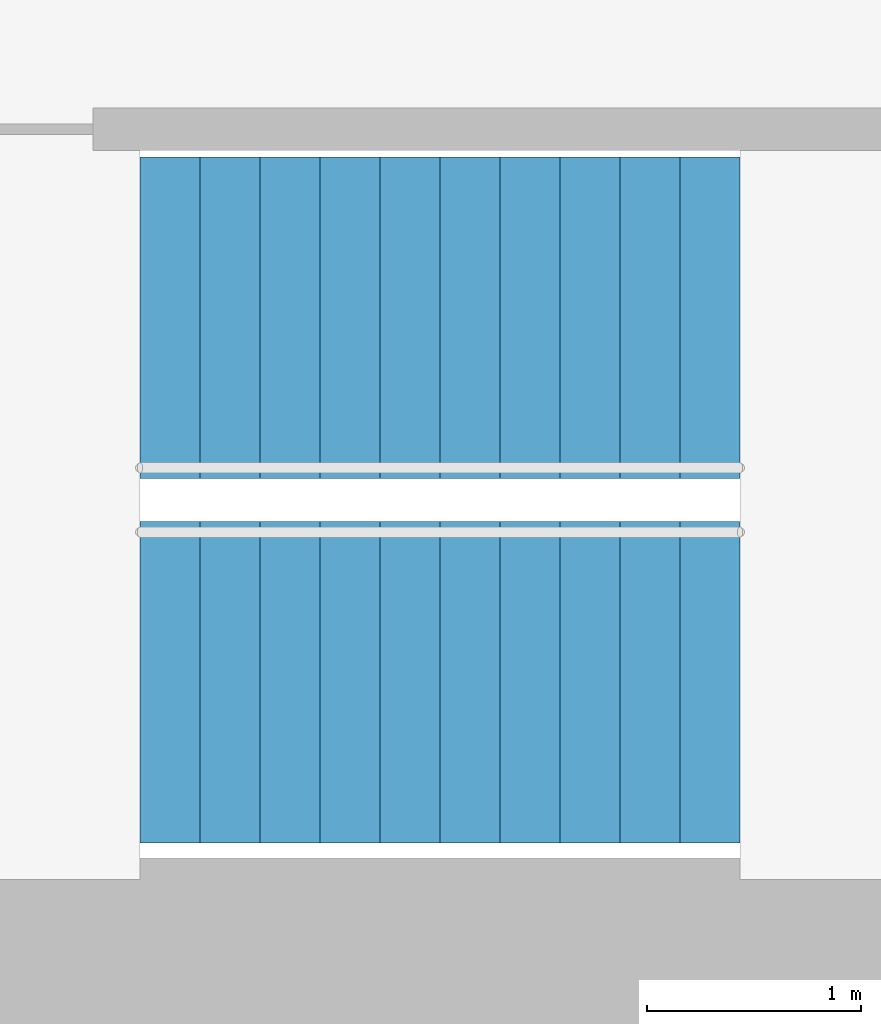
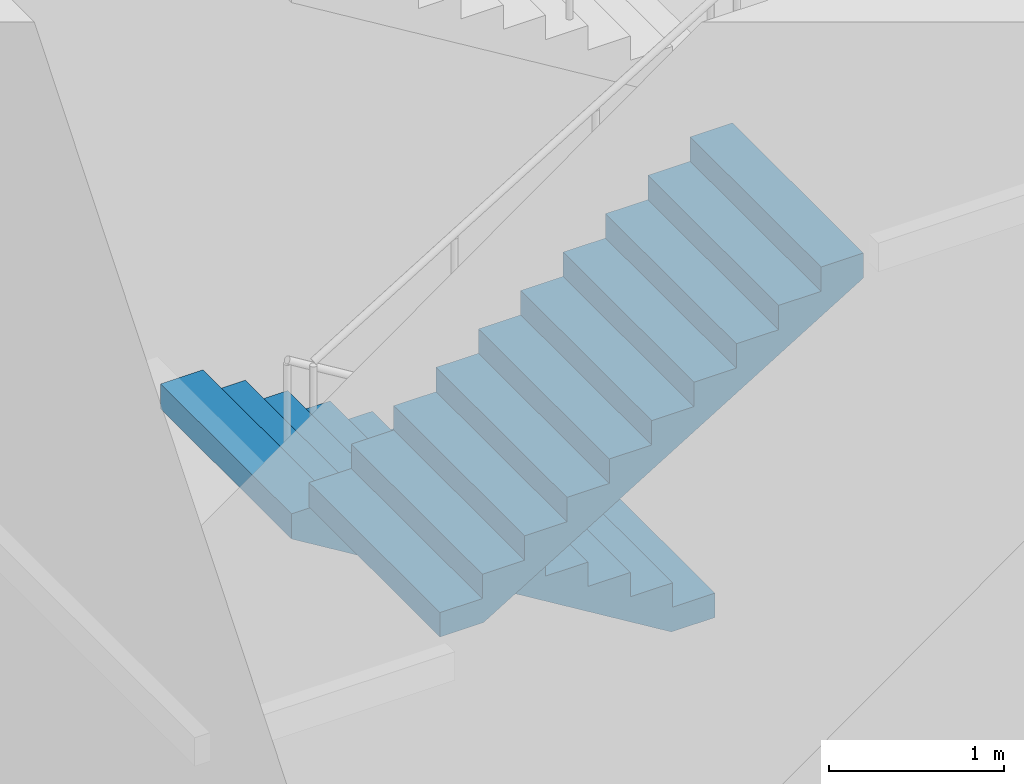
# One storey, part 30 of 73: 2 stair flights, 1 element without a shape of its own.
"""IFC4 building model written with IfcOpenShell, lengths in metres."""

from ifc_helpers import new_model, si_unit, direction, frame, origin, place, context, subcontext, project, spatial, triangles, material, type_object, element, aggregate, save


model = new_model("IFC4")

# Units and contexts
model_context = context("Model", 3, precision=1e-05, world=origin(), true_north=direction((0.0, 1.0)))
body_context = subcontext(model_context, "Body", "Model", "MODEL_VIEW")
ifc_project = project(units=[si_unit("LENGTHUNIT", "METRE"), si_unit("AREAUNIT", "SQUARE_METRE"), si_unit("VOLUMEUNIT", "CUBIC_METRE"), si_unit("PLANEANGLEUNIT", "RADIAN"), si_unit("MASSUNIT", "GRAM", prefix="KILO")], contexts=[model_context])

# Site, building, storey
site_placement = place(None, origin())
site = spatial("IfcSite", under=ifc_project, at=site_placement, CompositionType="ELEMENT")
building_placement = place(site_placement, origin())
building = spatial("IfcBuilding", under=site, at=building_placement, Name="Lantaw Convention Tower", CompositionType="ELEMENT")
storey_placement = place(building_placement, frame((0.0, 0.0, 14.5)))
storey = spatial("IfcBuildingStorey", under=building, at=storey_placement, Name="L02", CompositionType="ELEMENT", Elevation=14.5)

# Stair, stair flights
ifc_material = material(Name="Concrete C35/45", Category="concrete")
stair_type = type_object("IfcStairType", Name="Exit stair 1500 riser 170.45 in 4 flights", PredefinedType="HALF_TURN_STAIR", material=ifc_material)
stair_placement = place(storey_placement, origin())
stair = element("IfcStair", 1, at=stair_placement, inside=storey, type_object=stair_type, Name="Exit stair S1 L02", PredefinedType="HALF_TURN_STAIR")
stair_flight_type = type_object("IfcStairFlightType", Name="Stair flight 1500 riser 170.45", PredefinedType="STRAIGHT", material=ifc_material)
stair_flight_1_placement = place(storey_placement, frame((-7.780029296875, -4.280029296875, 1.875), z_axis=(0.0, 0.0, 1.0), x_axis=(-1.0, 0.0, 0.0)))
stair_flight_1 = element("IfcStairFlight", 2, at=stair_flight_1_placement, type_object=stair_flight_type, Name="S1 flight 2", NumberOfRisers=11, NumberOfTreads=10, PredefinedType="STRAIGHT", RiserHeight=0.170454545, TreadLength=0.28, context=body_context, shape_type="Tessellation", body=[
    triangles([(0.0, 0.75, 0.0), (0.0, 0.75, 0.170454545), (0.28, 0.75, 0.0), (0.28, 0.75, 0.170454545), (0.28, 0.75, 0.34090909), (0.28827876332691904, 0.75, 0.0), (0.28827876332691904, 0.75, 0.34090909), (0.56, 0.75, 0.16541471344266906), (0.56, 0.75, 0.34090909), (0.56, 0.75, 0.511363635), (0.8400000000000001, 0.75, 0.335869258442669), (0.8400000000000001, 0.75, 0.511363635), (0.8400000000000001, 0.75, 0.68181818), (1.12, 0.75, 0.506323803442669), (1.12, 0.75, 0.68181818), (1.12, 0.75, 0.8522727250000001), (1.4000000000000001, 0.75, 0.676778348442669), (1.4000000000000001, 0.75, 0.8522727250000001), (1.4000000000000001, 0.75, 1.02272727), (1.6800000000000002, 0.75, 0.847232893442669), (1.6800000000000002, 0.75, 1.02272727), (1.6800000000000002, 0.75, 1.193181815), (1.9600000000000002, 0.75, 1.017687438442669), (1.9600000000000002, 0.75, 1.193181815), (1.9600000000000002, 0.75, 1.36363636), (2.24, 0.75, 1.188141983442669), (2.24, 0.75, 1.36363636), (2.24, 0.75, 1.5340909050000002), (2.5200000000000005, 0.75, 1.358596528442669), (2.5200000000000005, 0.75, 1.5340909050000002), (2.5200000000000005, 0.75, 1.7045454500000001), (2.8000000000000003, 0.75, 1.529051073442669), (2.8000000000000003, 0.75, 1.7045454500000001), (0.0, -0.75, 0.0), (0.0, -0.75, 0.170454545), (0.28, -0.75, 0.0), (0.28, -0.75, 0.170454545), (0.28, -0.75, 0.34090909), (0.28827876332691904, -0.75, 0.0), (0.28827876332691904, -0.75, 0.34090909), (0.56, -0.75, 0.16541471344266906), (0.56, -0.75, 0.34090909), (0.56, -0.75, 0.511363635), (0.8400000000000001, -0.75, 0.335869258442669), (0.8400000000000001, -0.75, 0.511363635), (0.8400000000000001, -0.75, 0.68181818), (1.12, -0.75, 0.506323803442669), (1.12, -0.75, 0.68181818), (1.12, -0.75, 0.8522727250000001), (1.4000000000000001, -0.75, 0.676778348442669), (1.4000000000000001, -0.75, 0.8522727250000001), (1.4000000000000001, -0.75, 1.02272727), (1.6800000000000002, -0.75, 0.847232893442669), (1.6800000000000002, -0.75, 1.02272727), (1.6800000000000002, -0.75, 1.193181815), (1.9600000000000002, -0.75, 1.017687438442669), (1.9600000000000002, -0.75, 1.193181815), (1.9600000000000002, -0.75, 1.36363636), (2.24, -0.75, 1.188141983442669), (2.24, -0.75, 1.36363636), (2.24, -0.75, 1.5340909050000002), (2.5200000000000005, -0.75, 1.358596528442669), (2.5200000000000005, -0.75, 1.5340909050000002), (2.5200000000000005, -0.75, 1.7045454500000001), (2.8000000000000003, -0.75, 1.529051073442669), (2.8000000000000003, -0.75, 1.7045454500000001), (0.0, 0.15000000000000002, 0.170454545), (0.0, 0.15000000000000002, 0.0), (0.0, 0.0, 0.170454545), (0.0, 0.0, 0.0), (0.0, -0.15000000000000002, 0.170454545), (0.0, -0.15000000000000002, 0.0), (0.28, 0.15000000000000002, 0.34090909), (0.28, 0.15000000000000002, 0.170454545), (0.28, 0.0, 0.34090909), (0.28, 0.0, 0.170454545), (0.28, -0.15000000000000002, 0.34090909), (0.28, -0.15000000000000002, 0.170454545), (0.56, 0.15000000000000002, 0.511363635), (0.56, 0.15000000000000002, 0.34090909), (0.56, 0.0, 0.511363635), (0.56, 0.0, 0.34090909), (0.56, -0.15000000000000002, 0.511363635), (0.56, -0.15000000000000002, 0.34090909), (0.8400000000000001, 0.15000000000000002, 0.68181818), (0.8400000000000001, 0.15000000000000002, 0.511363635), (0.8400000000000001, 0.0, 0.68181818), (0.8400000000000001, 0.0, 0.511363635), (0.8400000000000001, -0.15000000000000002, 0.68181818), (0.8400000000000001, -0.15000000000000002, 0.511363635), (1.12, 0.15000000000000002, 0.8522727250000001), (1.12, 0.15000000000000002, 0.68181818), (1.12, 0.0, 0.8522727250000001), (1.12, 0.0, 0.68181818), (1.12, -0.15000000000000002, 0.8522727250000001), (1.12, -0.15000000000000002, 0.68181818), (1.4000000000000001, 0.15000000000000002, 1.02272727), (1.4000000000000001, 0.15000000000000002, 0.8522727250000001), (1.4000000000000001, 0.0, 1.02272727), (1.4000000000000001, 0.0, 0.8522727250000001), (1.4000000000000001, -0.15000000000000002, 1.02272727), (1.4000000000000001, -0.15000000000000002, 0.8522727250000001), (1.6800000000000002, 0.15000000000000002, 1.193181815), (1.6800000000000002, 0.15000000000000002, 1.02272727), (1.6800000000000002, 0.0, 1.193181815), (1.6800000000000002, 0.0, 1.02272727), (1.6800000000000002, -0.15000000000000002, 1.193181815), (1.6800000000000002, -0.15000000000000002, 1.02272727), (1.9600000000000002, 0.15000000000000002, 1.36363636), (1.9600000000000002, 0.15000000000000002, 1.193181815), (1.9600000000000002, 0.0, 1.36363636), (1.9600000000000002, 0.0, 1.193181815), (1.9600000000000002, -0.15000000000000002, 1.36363636), (1.9600000000000002, -0.15000000000000002, 1.193181815), (2.24, 0.15000000000000002, 1.5340909050000002), (2.24, 0.15000000000000002, 1.36363636), (2.24, 0.0, 1.5340909050000002), (2.24, 0.0, 1.36363636), (2.24, -0.15000000000000002, 1.5340909050000002), (2.24, -0.15000000000000002, 1.36363636), (2.5200000000000005, 0.15000000000000002, 1.7045454500000001), (2.5200000000000005, 0.15000000000000002, 1.5340909050000002), (2.5200000000000005, 0.0, 1.7045454500000001), (2.5200000000000005, 0.0, 1.5340909050000002), (2.5200000000000005, -0.15000000000000002, 1.7045454500000001), (2.5200000000000005, -0.15000000000000002, 1.5340909050000002), (0.28827876332691904, 0.15000000000000002, 0.34090909), (0.28827876332691904, 0.0, 0.34090909), (0.28827876332691904, -0.15000000000000002, 0.34090909), (2.8000000000000003, 0.15000000000000002, 1.7045454500000001), (2.8000000000000003, 0.0, 1.7045454500000001), (2.8000000000000003, -0.15000000000000002, 1.7045454500000001), (2.8000000000000003, 0.15000000000000002, 1.5290510734426692), (2.8000000000000003, 0.0, 1.5290510734426692), (2.8000000000000003, -0.15000000000000002, 1.5290510734426692), (2.5200000000000005, 0.15000000000000002, 1.358596528442669), (2.5200000000000005, 0.0, 1.358596528442669), (2.5200000000000005, -0.15000000000000002, 1.358596528442669), (2.24, 0.15000000000000002, 1.188141983442669), (2.24, 0.0, 1.188141983442669), (2.24, -0.15000000000000002, 1.188141983442669), (1.9600000000000002, 0.15000000000000002, 1.017687438442669), (1.9600000000000002, 0.0, 1.017687438442669), (1.9600000000000002, -0.15000000000000002, 1.017687438442669), (1.6800000000000002, 0.15000000000000002, 0.847232893442669), (1.6800000000000002, 0.0, 0.847232893442669), (1.6800000000000002, -0.15000000000000002, 0.847232893442669), (1.4000000000000001, 0.15000000000000002, 0.676778348442669), (1.4000000000000001, 0.0, 0.676778348442669), (1.4000000000000001, -0.15000000000000002, 0.676778348442669), (1.12, 0.15000000000000002, 0.506323803442669), (1.12, 0.0, 0.506323803442669), (1.12, -0.15000000000000002, 0.506323803442669), (0.8400000000000001, 0.15000000000000002, 0.335869258442669), (0.8400000000000001, 0.0, 0.335869258442669), (0.8400000000000001, -0.15000000000000002, 0.335869258442669), (0.56, 0.15000000000000002, 0.16541471344266906), (0.56, 0.0, 0.16541471344266906), (0.56, -0.15000000000000002, 0.16541471344266906), (0.28827876332691904, 0.15000000000000002, 0.0), (0.28827876332691904, 0.0, 0.0), (0.28827876332691904, -0.15000000000000002, 0.0), (0.28, 0.15000000000000002, 0.0), (0.28, 0.0, 0.0), (0.28, -0.15000000000000002, 0.0)], [[1, 4, 3], [1, 2, 4], [3, 4, 6], [4, 7, 6], [4, 5, 7], [6, 9, 8], [6, 7, 9], [8, 9, 11], [9, 12, 11], [9, 10, 12], [11, 12, 14], [12, 15, 14], [12, 13, 15], [14, 15, 17], [15, 18, 17], [15, 16, 18], [17, 18, 20], [18, 21, 20], [18, 19, 21], [20, 21, 23], [21, 24, 23], [21, 22, 24], [23, 24, 26], [24, 27, 26], [24, 25, 27], [26, 27, 29], [27, 30, 29], [27, 28, 30], [29, 30, 32], [30, 33, 32], [30, 31, 33], [34, 36, 37], [34, 37, 35], [36, 39, 37], [37, 39, 40], [37, 40, 38], [39, 41, 42], [39, 42, 40], [41, 44, 42], [42, 44, 45], [42, 45, 43], [44, 47, 45], [45, 47, 48], [45, 48, 46], [47, 50, 48], [48, 50, 51], [48, 51, 49], [50, 53, 51], [51, 53, 54], [51, 54, 52], [53, 56, 54], [54, 56, 57], [54, 57, 55], [56, 59, 57], [57, 59, 60], [57, 60, 58], [59, 62, 60], [60, 62, 63], [60, 63, 61], [62, 65, 63], [63, 65, 66], [63, 66, 64], [1, 67, 2], [1, 68, 67], [68, 69, 67], [68, 70, 69], [70, 71, 69], [70, 72, 71], [72, 35, 71], [72, 34, 35], [4, 73, 5], [4, 74, 73], [74, 75, 73], [74, 76, 75], [76, 77, 75], [76, 78, 77], [78, 38, 77], [78, 37, 38], [9, 79, 10], [9, 80, 79], [80, 81, 79], [80, 82, 81], [82, 83, 81], [82, 84, 83], [84, 43, 83], [84, 42, 43], [12, 85, 13], [12, 86, 85], [86, 87, 85], [86, 88, 87], [88, 89, 87], [88, 90, 89], [90, 46, 89], [90, 45, 46], [15, 91, 16], [15, 92, 91], [92, 93, 91], [92, 94, 93], [94, 95, 93], [94, 96, 95], [96, 49, 95], [96, 48, 49], [18, 97, 19], [18, 98, 97], [98, 99, 97], [98, 100, 99], [100, 101, 99], [100, 102, 101], [102, 52, 101], [102, 51, 52], [21, 103, 22], [21, 104, 103], [104, 105, 103], [104, 106, 105], [106, 107, 105], [106, 108, 107], [108, 55, 107], [108, 54, 55], [24, 109, 25], [24, 110, 109], [110, 111, 109], [110, 112, 111], [112, 113, 111], [112, 114, 113], [114, 58, 113], [114, 57, 58], [27, 115, 28], [27, 116, 115], [116, 117, 115], [116, 118, 117], [118, 119, 117], [118, 120, 119], [120, 61, 119], [120, 60, 61], [30, 121, 31], [30, 122, 121], [122, 123, 121], [122, 124, 123], [124, 125, 123], [124, 126, 125], [126, 64, 125], [126, 63, 64], [2, 74, 4], [2, 67, 74], [67, 76, 74], [67, 69, 76], [69, 78, 76], [69, 71, 78], [71, 37, 78], [71, 35, 37], [5, 127, 7], [5, 73, 127], [73, 128, 127], [73, 75, 128], [75, 129, 128], [75, 77, 129], [77, 40, 129], [77, 38, 40], [7, 80, 9], [7, 127, 80], [127, 82, 80], [127, 128, 82], [128, 84, 82], [128, 129, 84], [129, 42, 84], [129, 40, 42], [10, 86, 12], [10, 79, 86], [79, 88, 86], [79, 81, 88], [81, 90, 88], [81, 83, 90], [83, 45, 90], [83, 43, 45], [13, 92, 15], [13, 85, 92], [85, 94, 92], [85, 87, 94], [87, 96, 94], [87, 89, 96], [89, 48, 96], [89, 46, 48], [16, 98, 18], [16, 91, 98], [91, 100, 98], [91, 93, 100], [93, 102, 100], [93, 95, 102], [95, 51, 102], [95, 49, 51], [19, 104, 21], [19, 97, 104], [97, 106, 104], [97, 99, 106], [99, 108, 106], [99, 101, 108], [101, 54, 108], [101, 52, 54], [22, 110, 24], [22, 103, 110], [103, 112, 110], [103, 105, 112], [105, 114, 112], [105, 107, 114], [107, 57, 114], [107, 55, 57], [25, 116, 27], [25, 109, 116], [109, 118, 116], [109, 111, 118], [111, 120, 118], [111, 113, 120], [113, 60, 120], [113, 58, 60], [28, 122, 30], [28, 115, 122], [115, 124, 122], [115, 117, 124], [117, 126, 124], [117, 119, 126], [119, 63, 126], [119, 61, 63], [31, 130, 33], [31, 121, 130], [121, 131, 130], [121, 123, 131], [123, 132, 131], [123, 125, 132], [125, 66, 132], [125, 64, 66], [33, 133, 32], [33, 130, 133], [130, 134, 133], [130, 131, 134], [131, 135, 134], [131, 132, 135], [132, 65, 135], [132, 66, 65], [32, 136, 29], [32, 133, 136], [133, 137, 136], [133, 134, 137], [134, 138, 137], [134, 135, 138], [135, 62, 138], [135, 65, 62], [29, 139, 26], [29, 136, 139], [136, 140, 139], [136, 137, 140], [137, 141, 140], [137, 138, 141], [138, 59, 141], [138, 62, 59], [26, 142, 23], [26, 139, 142], [139, 143, 142], [139, 140, 143], [140, 144, 143], [140, 141, 144], [141, 56, 144], [141, 59, 56], [23, 145, 20], [23, 142, 145], [142, 146, 145], [142, 143, 146], [143, 147, 146], [143, 144, 147], [144, 53, 147], [144, 56, 53], [20, 148, 17], [20, 145, 148], [145, 149, 148], [145, 146, 149], [146, 150, 149], [146, 147, 150], [147, 50, 150], [147, 53, 50], [17, 151, 14], [17, 148, 151], [148, 152, 151], [148, 149, 152], [149, 153, 152], [149, 150, 153], [150, 47, 153], [150, 50, 47], [14, 154, 11], [14, 151, 154], [151, 155, 154], [151, 152, 155], [152, 156, 155], [152, 153, 156], [153, 44, 156], [153, 47, 44], [11, 157, 8], [11, 154, 157], [154, 158, 157], [154, 155, 158], [155, 159, 158], [155, 156, 159], [156, 41, 159], [156, 44, 41], [8, 160, 6], [8, 157, 160], [157, 161, 160], [157, 158, 161], [158, 162, 161], [158, 159, 162], [159, 39, 162], [159, 41, 39], [6, 163, 3], [6, 160, 163], [160, 164, 163], [160, 161, 164], [161, 165, 164], [161, 162, 165], [162, 36, 165], [162, 39, 36], [3, 68, 1], [3, 163, 68], [163, 70, 68], [163, 164, 70], [164, 72, 70], [164, 165, 72], [165, 34, 72], [165, 36, 34]], closed=True),
])
stair_flight_2_placement = place(storey_placement, frame((-10.580078125, -5.97998046875, 3.75), z_axis=(0.0, 0.0, 1.0), x_axis=(1.0, 0.0, 0.0)))
stair_flight_2 = element("IfcStairFlight", 3, at=stair_flight_2_placement, type_object=stair_flight_type, Name="S1 flight 3", NumberOfRisers=11, NumberOfTreads=10, PredefinedType="STRAIGHT", RiserHeight=0.170454545, TreadLength=0.28, context=body_context, shape_type="Tessellation", body=[
    triangles([(0.0, 0.75, 0.0), (0.0, 0.75, 0.170454545), (0.28, 0.75, 0.0), (0.28, 0.75, 0.170454545), (0.28, 0.75, 0.34090909), (0.28827876332691904, 0.75, 0.0), (0.28827876332691904, 0.75, 0.34090909), (0.56, 0.75, 0.16541471344266906), (0.56, 0.75, 0.34090909), (0.56, 0.75, 0.511363635), (0.8400000000000001, 0.75, 0.335869258442669), (0.8400000000000001, 0.75, 0.511363635), (0.8400000000000001, 0.75, 0.68181818), (1.12, 0.75, 0.506323803442669), (1.12, 0.75, 0.68181818), (1.12, 0.75, 0.8522727250000001), (1.4000000000000001, 0.75, 0.676778348442669), (1.4000000000000001, 0.75, 0.8522727250000001), (1.4000000000000001, 0.75, 1.02272727), (1.6800000000000002, 0.75, 0.847232893442669), (1.6800000000000002, 0.75, 1.02272727), (1.6800000000000002, 0.75, 1.193181815), (1.9600000000000002, 0.75, 1.017687438442669), (1.9600000000000002, 0.75, 1.193181815), (1.9600000000000002, 0.75, 1.36363636), (2.24, 0.75, 1.188141983442669), (2.24, 0.75, 1.36363636), (2.24, 0.75, 1.5340909050000002), (2.5200000000000005, 0.75, 1.358596528442669), (2.5200000000000005, 0.75, 1.5340909050000002), (2.5200000000000005, 0.75, 1.7045454500000001), (2.8000000000000003, 0.75, 1.529051073442669), (2.8000000000000003, 0.75, 1.7045454500000001), (0.0, -0.75, 0.0), (0.0, -0.75, 0.170454545), (0.28, -0.75, 0.0), (0.28, -0.75, 0.170454545), (0.28, -0.75, 0.34090909), (0.28827876332691904, -0.75, 0.0), (0.28827876332691904, -0.75, 0.34090909), (0.56, -0.75, 0.16541471344266906), (0.56, -0.75, 0.34090909), (0.56, -0.75, 0.511363635), (0.8400000000000001, -0.75, 0.335869258442669), (0.8400000000000001, -0.75, 0.511363635), (0.8400000000000001, -0.75, 0.68181818), (1.12, -0.75, 0.506323803442669), (1.12, -0.75, 0.68181818), (1.12, -0.75, 0.8522727250000001), (1.4000000000000001, -0.75, 0.676778348442669), (1.4000000000000001, -0.75, 0.8522727250000001), (1.4000000000000001, -0.75, 1.02272727), (1.6800000000000002, -0.75, 0.847232893442669), (1.6800000000000002, -0.75, 1.02272727), (1.6800000000000002, -0.75, 1.193181815), (1.9600000000000002, -0.75, 1.017687438442669), (1.9600000000000002, -0.75, 1.193181815), (1.9600000000000002, -0.75, 1.36363636), (2.24, -0.75, 1.188141983442669), (2.24, -0.75, 1.36363636), (2.24, -0.75, 1.5340909050000002), (2.5200000000000005, -0.75, 1.358596528442669), (2.5200000000000005, -0.75, 1.5340909050000002), (2.5200000000000005, -0.75, 1.7045454500000001), (2.8000000000000003, -0.75, 1.529051073442669), (2.8000000000000003, -0.75, 1.7045454500000001), (0.0, 0.15000000000000002, 0.170454545), (0.0, 0.15000000000000002, 0.0), (0.0, 0.0, 0.170454545), (0.0, 0.0, 0.0), (0.0, -0.15000000000000002, 0.170454545), (0.0, -0.15000000000000002, 0.0), (0.28, 0.15000000000000002, 0.34090909), (0.28, 0.15000000000000002, 0.170454545), (0.28, 0.0, 0.34090909), (0.28, 0.0, 0.170454545), (0.28, -0.15000000000000002, 0.34090909), (0.28, -0.15000000000000002, 0.170454545), (0.56, 0.15000000000000002, 0.511363635), (0.56, 0.15000000000000002, 0.34090909), (0.56, 0.0, 0.511363635), (0.56, 0.0, 0.34090909), (0.56, -0.15000000000000002, 0.511363635), (0.56, -0.15000000000000002, 0.34090909), (0.8400000000000001, 0.15000000000000002, 0.68181818), (0.8400000000000001, 0.15000000000000002, 0.511363635), (0.8400000000000001, 0.0, 0.68181818), (0.8400000000000001, 0.0, 0.511363635), (0.8400000000000001, -0.15000000000000002, 0.68181818), (0.8400000000000001, -0.15000000000000002, 0.511363635), (1.12, 0.15000000000000002, 0.8522727250000001), (1.12, 0.15000000000000002, 0.68181818), (1.12, 0.0, 0.8522727250000001), (1.12, 0.0, 0.68181818), (1.12, -0.15000000000000002, 0.8522727250000001), (1.12, -0.15000000000000002, 0.68181818), (1.4000000000000001, 0.15000000000000002, 1.02272727), (1.4000000000000001, 0.15000000000000002, 0.8522727250000001), (1.4000000000000001, 0.0, 1.02272727), (1.4000000000000001, 0.0, 0.8522727250000001), (1.4000000000000001, -0.15000000000000002, 1.02272727), (1.4000000000000001, -0.15000000000000002, 0.8522727250000001), (1.6800000000000002, 0.15000000000000002, 1.193181815), (1.6800000000000002, 0.15000000000000002, 1.02272727), (1.6800000000000002, 0.0, 1.193181815), (1.6800000000000002, 0.0, 1.02272727), (1.6800000000000002, -0.15000000000000002, 1.193181815), (1.6800000000000002, -0.15000000000000002, 1.02272727), (1.9600000000000002, 0.15000000000000002, 1.36363636), (1.9600000000000002, 0.15000000000000002, 1.193181815), (1.9600000000000002, 0.0, 1.36363636), (1.9600000000000002, 0.0, 1.193181815), (1.9600000000000002, -0.15000000000000002, 1.36363636), (1.9600000000000002, -0.15000000000000002, 1.193181815), (2.24, 0.15000000000000002, 1.5340909050000002), (2.24, 0.15000000000000002, 1.36363636), (2.24, 0.0, 1.5340909050000002), (2.24, 0.0, 1.36363636), (2.24, -0.15000000000000002, 1.5340909050000002), (2.24, -0.15000000000000002, 1.36363636), (2.5200000000000005, 0.15000000000000002, 1.7045454500000001), (2.5200000000000005, 0.15000000000000002, 1.5340909050000002), (2.5200000000000005, 0.0, 1.7045454500000001), (2.5200000000000005, 0.0, 1.5340909050000002), (2.5200000000000005, -0.15000000000000002, 1.7045454500000001), (2.5200000000000005, -0.15000000000000002, 1.5340909050000002), (0.28827876332691904, 0.15000000000000002, 0.34090909), (0.28827876332691904, 0.0, 0.34090909), (0.28827876332691904, -0.15000000000000002, 0.34090909), (2.8000000000000003, 0.15000000000000002, 1.7045454500000001), (2.8000000000000003, 0.0, 1.7045454500000001), (2.8000000000000003, -0.15000000000000002, 1.7045454500000001), (2.8000000000000003, 0.15000000000000002, 1.5290510734426692), (2.8000000000000003, 0.0, 1.5290510734426692), (2.8000000000000003, -0.15000000000000002, 1.5290510734426692), (2.5200000000000005, 0.15000000000000002, 1.358596528442669), (2.5200000000000005, 0.0, 1.358596528442669), (2.5200000000000005, -0.15000000000000002, 1.358596528442669), (2.24, 0.15000000000000002, 1.188141983442669), (2.24, 0.0, 1.188141983442669), (2.24, -0.15000000000000002, 1.188141983442669), (1.9600000000000002, 0.15000000000000002, 1.017687438442669), (1.9600000000000002, 0.0, 1.017687438442669), (1.9600000000000002, -0.15000000000000002, 1.017687438442669), (1.6800000000000002, 0.15000000000000002, 0.847232893442669), (1.6800000000000002, 0.0, 0.847232893442669), (1.6800000000000002, -0.15000000000000002, 0.847232893442669), (1.4000000000000001, 0.15000000000000002, 0.676778348442669), (1.4000000000000001, 0.0, 0.676778348442669), (1.4000000000000001, -0.15000000000000002, 0.676778348442669), (1.12, 0.15000000000000002, 0.506323803442669), (1.12, 0.0, 0.506323803442669), (1.12, -0.15000000000000002, 0.506323803442669), (0.8400000000000001, 0.15000000000000002, 0.335869258442669), (0.8400000000000001, 0.0, 0.335869258442669), (0.8400000000000001, -0.15000000000000002, 0.335869258442669), (0.56, 0.15000000000000002, 0.16541471344266906), (0.56, 0.0, 0.16541471344266906), (0.56, -0.15000000000000002, 0.16541471344266906), (0.28827876332691904, 0.15000000000000002, 0.0), (0.28827876332691904, 0.0, 0.0), (0.28827876332691904, -0.15000000000000002, 0.0), (0.28, 0.15000000000000002, 0.0), (0.28, 0.0, 0.0), (0.28, -0.15000000000000002, 0.0)], [[1, 4, 3], [1, 2, 4], [3, 4, 6], [4, 7, 6], [4, 5, 7], [6, 9, 8], [6, 7, 9], [8, 9, 11], [9, 12, 11], [9, 10, 12], [11, 12, 14], [12, 15, 14], [12, 13, 15], [14, 15, 17], [15, 18, 17], [15, 16, 18], [17, 18, 20], [18, 21, 20], [18, 19, 21], [20, 21, 23], [21, 24, 23], [21, 22, 24], [23, 24, 26], [24, 27, 26], [24, 25, 27], [26, 27, 29], [27, 30, 29], [27, 28, 30], [29, 30, 32], [30, 33, 32], [30, 31, 33], [34, 36, 37], [34, 37, 35], [36, 39, 37], [37, 39, 40], [37, 40, 38], [39, 41, 42], [39, 42, 40], [41, 44, 42], [42, 44, 45], [42, 45, 43], [44, 47, 45], [45, 47, 48], [45, 48, 46], [47, 50, 48], [48, 50, 51], [48, 51, 49], [50, 53, 51], [51, 53, 54], [51, 54, 52], [53, 56, 54], [54, 56, 57], [54, 57, 55], [56, 59, 57], [57, 59, 60], [57, 60, 58], [59, 62, 60], [60, 62, 63], [60, 63, 61], [62, 65, 63], [63, 65, 66], [63, 66, 64], [1, 67, 2], [1, 68, 67], [68, 69, 67], [68, 70, 69], [70, 71, 69], [70, 72, 71], [72, 35, 71], [72, 34, 35], [4, 73, 5], [4, 74, 73], [74, 75, 73], [74, 76, 75], [76, 77, 75], [76, 78, 77], [78, 38, 77], [78, 37, 38], [9, 79, 10], [9, 80, 79], [80, 81, 79], [80, 82, 81], [82, 83, 81], [82, 84, 83], [84, 43, 83], [84, 42, 43], [12, 85, 13], [12, 86, 85], [86, 87, 85], [86, 88, 87], [88, 89, 87], [88, 90, 89], [90, 46, 89], [90, 45, 46], [15, 91, 16], [15, 92, 91], [92, 93, 91], [92, 94, 93], [94, 95, 93], [94, 96, 95], [96, 49, 95], [96, 48, 49], [18, 97, 19], [18, 98, 97], [98, 99, 97], [98, 100, 99], [100, 101, 99], [100, 102, 101], [102, 52, 101], [102, 51, 52], [21, 103, 22], [21, 104, 103], [104, 105, 103], [104, 106, 105], [106, 107, 105], [106, 108, 107], [108, 55, 107], [108, 54, 55], [24, 109, 25], [24, 110, 109], [110, 111, 109], [110, 112, 111], [112, 113, 111], [112, 114, 113], [114, 58, 113], [114, 57, 58], [27, 115, 28], [27, 116, 115], [116, 117, 115], [116, 118, 117], [118, 119, 117], [118, 120, 119], [120, 61, 119], [120, 60, 61], [30, 121, 31], [30, 122, 121], [122, 123, 121], [122, 124, 123], [124, 125, 123], [124, 126, 125], [126, 64, 125], [126, 63, 64], [2, 74, 4], [2, 67, 74], [67, 76, 74], [67, 69, 76], [69, 78, 76], [69, 71, 78], [71, 37, 78], [71, 35, 37], [5, 127, 7], [5, 73, 127], [73, 128, 127], [73, 75, 128], [75, 129, 128], [75, 77, 129], [77, 40, 129], [77, 38, 40], [7, 80, 9], [7, 127, 80], [127, 82, 80], [127, 128, 82], [128, 84, 82], [128, 129, 84], [129, 42, 84], [129, 40, 42], [10, 86, 12], [10, 79, 86], [79, 88, 86], [79, 81, 88], [81, 90, 88], [81, 83, 90], [83, 45, 90], [83, 43, 45], [13, 92, 15], [13, 85, 92], [85, 94, 92], [85, 87, 94], [87, 96, 94], [87, 89, 96], [89, 48, 96], [89, 46, 48], [16, 98, 18], [16, 91, 98], [91, 100, 98], [91, 93, 100], [93, 102, 100], [93, 95, 102], [95, 51, 102], [95, 49, 51], [19, 104, 21], [19, 97, 104], [97, 106, 104], [97, 99, 106], [99, 108, 106], [99, 101, 108], [101, 54, 108], [101, 52, 54], [22, 110, 24], [22, 103, 110], [103, 112, 110], [103, 105, 112], [105, 114, 112], [105, 107, 114], [107, 57, 114], [107, 55, 57], [25, 116, 27], [25, 109, 116], [109, 118, 116], [109, 111, 118], [111, 120, 118], [111, 113, 120], [113, 60, 120], [113, 58, 60], [28, 122, 30], [28, 115, 122], [115, 124, 122], [115, 117, 124], [117, 126, 124], [117, 119, 126], [119, 63, 126], [119, 61, 63], [31, 130, 33], [31, 121, 130], [121, 131, 130], [121, 123, 131], [123, 132, 131], [123, 125, 132], [125, 66, 132], [125, 64, 66], [33, 133, 32], [33, 130, 133], [130, 134, 133], [130, 131, 134], [131, 135, 134], [131, 132, 135], [132, 65, 135], [132, 66, 65], [32, 136, 29], [32, 133, 136], [133, 137, 136], [133, 134, 137], [134, 138, 137], [134, 135, 138], [135, 62, 138], [135, 65, 62], [29, 139, 26], [29, 136, 139], [136, 140, 139], [136, 137, 140], [137, 141, 140], [137, 138, 141], [138, 59, 141], [138, 62, 59], [26, 142, 23], [26, 139, 142], [139, 143, 142], [139, 140, 143], [140, 144, 143], [140, 141, 144], [141, 56, 144], [141, 59, 56], [23, 145, 20], [23, 142, 145], [142, 146, 145], [142, 143, 146], [143, 147, 146], [143, 144, 147], [144, 53, 147], [144, 56, 53], [20, 148, 17], [20, 145, 148], [145, 149, 148], [145, 146, 149], [146, 150, 149], [146, 147, 150], [147, 50, 150], [147, 53, 50], [17, 151, 14], [17, 148, 151], [148, 152, 151], [148, 149, 152], [149, 153, 152], [149, 150, 153], [150, 47, 153], [150, 50, 47], [14, 154, 11], [14, 151, 154], [151, 155, 154], [151, 152, 155], [152, 156, 155], [152, 153, 156], [153, 44, 156], [153, 47, 44], [11, 157, 8], [11, 154, 157], [154, 158, 157], [154, 155, 158], [155, 159, 158], [155, 156, 159], [156, 41, 159], [156, 44, 41], [8, 160, 6], [8, 157, 160], [157, 161, 160], [157, 158, 161], [158, 162, 161], [158, 159, 162], [159, 39, 162], [159, 41, 39], [6, 163, 3], [6, 160, 163], [160, 164, 163], [160, 161, 164], [161, 165, 164], [161, 162, 165], [162, 36, 165], [162, 39, 36], [3, 68, 1], [3, 163, 68], [163, 70, 68], [163, 164, 70], [164, 72, 70], [164, 165, 72], [165, 34, 72], [165, 36, 34]], closed=True),
])
aggregate(stair, [stair_flight_1, stair_flight_2])

save(model, "model.ifc")
